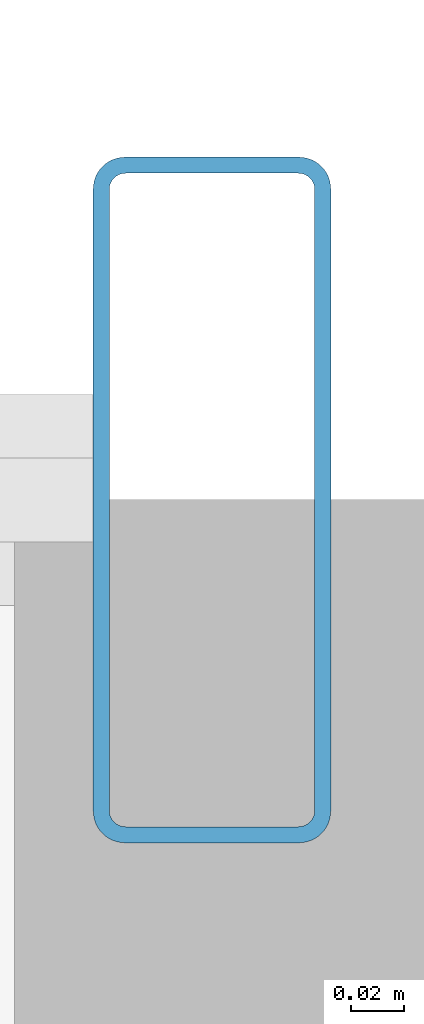
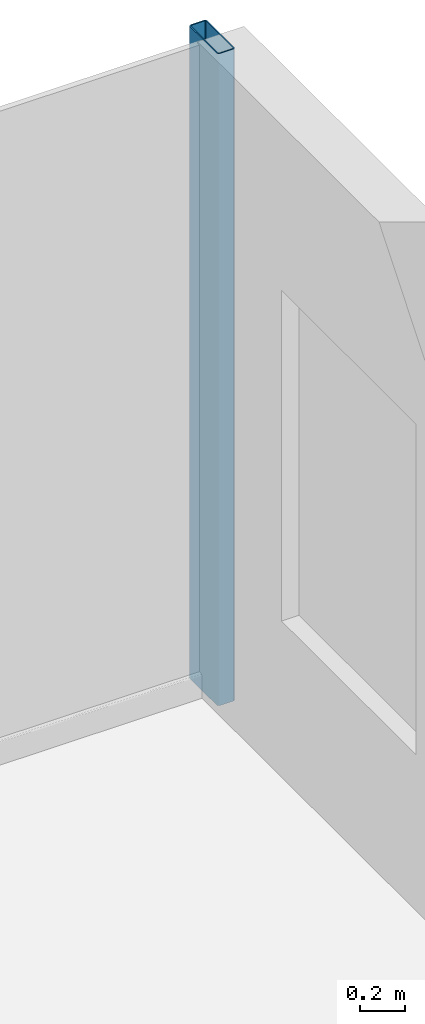
# One storey, part 17 of 29: 1 member, 1 element without a shape of its own.
"""IFC4 building model written with IfcOpenShell, lengths in metres."""

from ifc_helpers import new_model, si_unit, direction, frame, origin, origin_2d, place, context, subcontext, project, spatial, hollow_rectangle, extrude, source, transform, mapped, material, layer, layer_set, material_profile, profile_set, type_object, element, aggregate, save


model = new_model("IFC4")

# Units and contexts
model_context = context("Model", 3, precision=1e-05, world=origin(), true_north=direction((0.0, 1.0)))
body_context = subcontext(model_context, "Body", "Model", "MODEL_VIEW")
ifc_project = project(units=[si_unit("LENGTHUNIT", "METRE"), si_unit("AREAUNIT", "SQUARE_METRE"), si_unit("VOLUMEUNIT", "CUBIC_METRE"), si_unit("PLANEANGLEUNIT", "RADIAN"), si_unit("MASSUNIT", "GRAM", prefix="KILO")], contexts=[model_context])

# Site, building, storey
site_placement = place(None, origin())
site = spatial("IfcSite", under=ifc_project, at=site_placement, CompositionType="ELEMENT")
building_placement = place(site_placement, origin())
building = spatial("IfcBuilding", under=site, at=building_placement, Name="Nefas-Gora Pilgrimage Tower", CompositionType="ELEMENT")
storey_placement = place(building_placement, frame((0.0, 0.0, 125.0)))
storey = spatial("IfcBuildingStorey", under=building, at=storey_placement, Name="L30", CompositionType="ELEMENT", Elevation=125.0)

# Curtain wall, member
ifc_material_1 = material(Name="Dark ceramic-fritted solar-control aluminium-glass curtain wall", Category="aluminium")
ifc_layer = layer(ifc_material_1, 0.219970703125)
ifc_layer_set = layer_set([ifc_layer], Name="Dark ceramic-fritted solar-control aluminium-glass curtain wall")
curtain_wall_type = type_object("IfcCurtainWallType", Name="CW-SYS-2", PredefinedType="NOTDEFINED", material=ifc_layer_set)
curtain_wall_placement = place(storey_placement, origin())
curtain_wall = element("IfcCurtainWall", 1, at=curtain_wall_placement, inside=storey, type_object=curtain_wall_type, Name="L30 Unitised Curtain Wall CW2", PredefinedType="NOTDEFINED")
ifc_material_2 = material(Name="Anodised architectural aluminium", Category="aluminium")
ifc_material_profile = material_profile(ifc_material_2, hollow_rectangle(XDim=0.090087890625, YDim=0.260009765625, WallThickness=0.006103515625, InnerFilletRadius=0.006103515625, OuterFilletRadius=0.011962890625, at=origin_2d()), Name="ALU MULLION 90x260")
ifc_profile_set = profile_set([ifc_material_profile], Name="Anodised architectural aluminium")
member_type = type_object("IfcMemberType", Name="CWM-MUL-2", PredefinedType="MULLION", material=ifc_profile_set)
shared_shape = source(origin(), body_context, "Body", "SweptSolid", [
    extrude(hollow_rectangle(XDim=0.090087890625, YDim=0.260009765625, WallThickness=0.006103515625, InnerFilletRadius=0.006103515625, OuterFilletRadius=0.011962890625, at=origin_2d()), origin(), (0.0, 0.0, 1.0), 3.550048828125),
])
member_placement = place(storey_placement, frame((28.824951171875, 23.02001953125, 0.0), z_axis=(0.0, 0.0, 1.0), x_axis=(-1.0, 0.0, 0.0)))
member = element("IfcMember", 2, at=member_placement, type_object=member_type, Name="CW2 Mullion 1", PredefinedType="MULLION", context=body_context, shape_type="MappedRepresentation", body=[
    mapped(shared_shape, transform((0.0, 0.0, 0.0), x_axis=(1.0, 0.0, 0.0), y_axis=(0.0, 1.0, 0.0), z_axis=(0.0, 0.0, 1.0), scale=1.0)),
])
aggregate(curtain_wall, [member])

save(model, "model.ifc")
